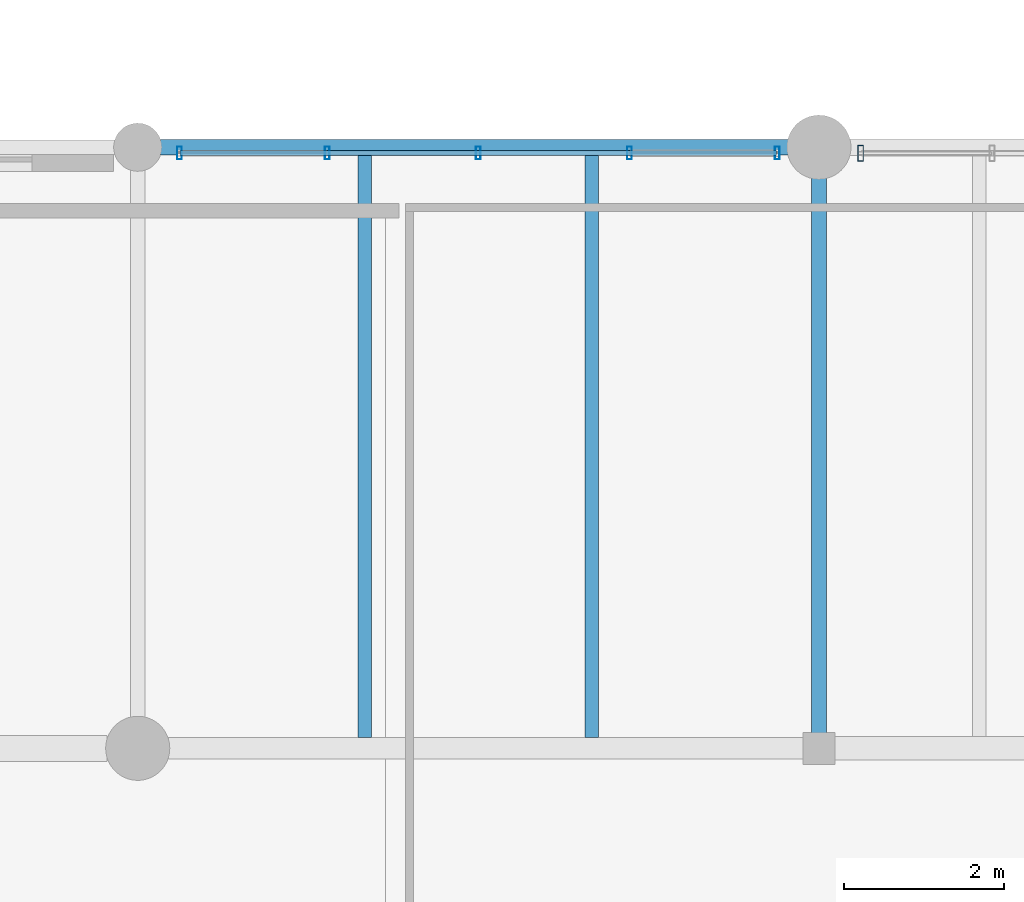
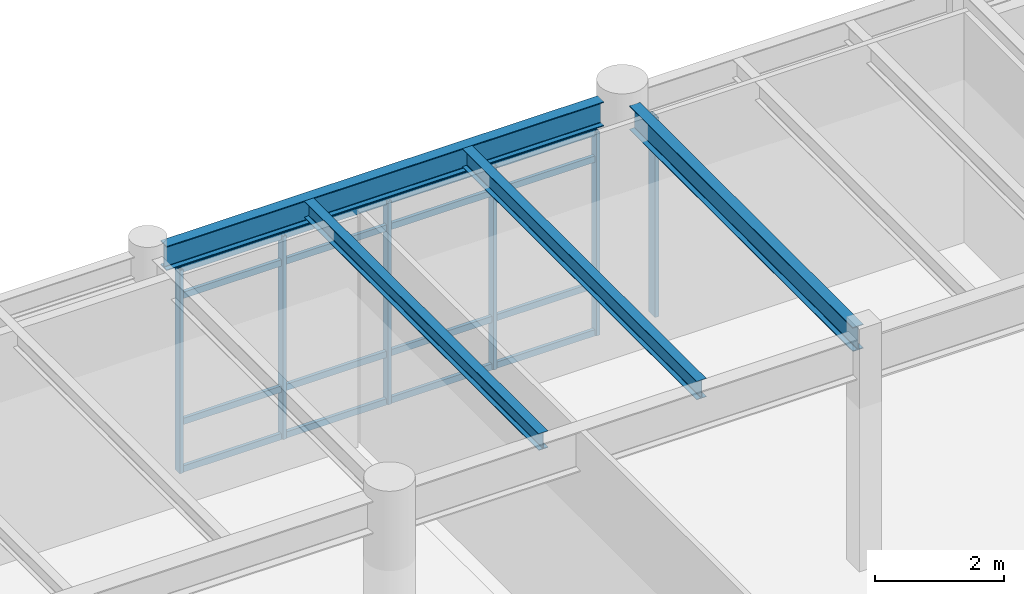
# One storey, part 104 of 168: 10 members, 4 beams, 2 elements without a shape of their own.
"""IFC4 building model written with IfcOpenShell, lengths in metres."""

from ifc_helpers import new_model, si_unit, direction, frame, origin, origin_2d, place, context, subcontext, project, spatial, hollow_rectangle, i_section, extrude, material, material_profile, profile_set, type_object, element, aggregate, save


model = new_model("IFC4")

# Units and contexts
model_context = context("Model", 3, precision=1e-05, world=origin(), true_north=direction((0.0, 1.0)))
body_context = subcontext(model_context, "Body", "Model", "MODEL_VIEW")
ifc_project = project(units=[si_unit("LENGTHUNIT", "METRE"), si_unit("AREAUNIT", "SQUARE_METRE"), si_unit("VOLUMEUNIT", "CUBIC_METRE"), si_unit("PLANEANGLEUNIT", "RADIAN"), si_unit("MASSUNIT", "GRAM", prefix="KILO"), si_unit("THERMODYNAMICTEMPERATUREUNIT", "KELVIN"), si_unit("POWERUNIT", "WATT")], contexts=[model_context])

# Site, building, storey
site_placement = place(None, origin())
site = spatial("IfcSite", under=ifc_project, at=site_placement, CompositionType="ELEMENT")
building_placement = place(site_placement, origin())
building = spatial("IfcBuilding", under=site, at=building_placement, Name="Tepalcoro Natatorium and Aquatics Centre", CompositionType="ELEMENT")
storey_placement = place(building_placement, frame((0.0, 0.0, 10.199951171875)))
storey = spatial("IfcBuildingStorey", under=building, at=storey_placement, Name="L02", CompositionType="ELEMENT", Elevation=10.199951171875)

# Beam
ifc_material_1 = material(Name="Steel ASTM A992 Grade 50 (Fy 345 MPa)", Category="steel")
ifc_material_profile_1 = material_profile(ifc_material_1, i_section(OverallWidth=0.19091796875, OverallDepth=0.45703125, WebThickness=0.009033203125, FlangeThickness=0.013916015625, FilletRadius=0.013916015625, at=origin_2d()), Name="W18X50")
ifc_profile_set_1 = profile_set([ifc_material_profile_1], Name="Steel ASTM A992 Grade 50 (Fy 345 MPa)")
beam_type_1 = type_object("IfcBeamType", Name="BM_W18x50", PredefinedType="BEAM", material=ifc_profile_set_1)
beam_1_placement = place(storey_placement, frame((159.0, 51.68505859375, 4.136474609375), z_axis=(0.0, 1.0, 0.0), x_axis=(-1.0, 0.0, 0.0)))
element("IfcBeam", 1, at=beam_1_placement, inside=storey, type_object=beam_type_1, Name="V2 L02 Grid Girder Y", PredefinedType="BEAM", context=body_context, shape_type="SweptSolid", body=[
    extrude(i_section(OverallWidth=0.19091796875, OverallDepth=0.45703125, WebThickness=0.009033203125, FlangeThickness=0.013916015625, FilletRadius=0.013916015625, at=origin_2d()), origin(), (0.0, 0.0, 1.0), 6.929931640625),
])

# Curtain wall, members
ifc_material_2 = material(Name="Bronze-Anodised Extruded Aluminium Alloy EN AW-6063 T6", Category="aluminium")
curtain_wall_type_1 = type_object("IfcCurtainWallType", Name="CW_LEAN_T1_EW", PredefinedType="USERDEFINED", material=ifc_material_2)
curtain_wall_1_placement = place(storey_placement, origin())
curtain_wall_1 = element("IfcCurtainWall", 2, at=curtain_wall_1_placement, inside=storey, type_object=curtain_wall_type_1, Name="V2 L02 N Unitised Curtain Wall Bay 2", ObjectType="FACETED SOLAR GLAZING", PredefinedType="USERDEFINED")
ifc_material_profile_2 = material_profile(ifc_material_2, hollow_rectangle(XDim=0.06005859375, YDim=0.159912109375, WallThickness=0.00390625, at=origin_2d()), Name="AL60X160X4")
ifc_profile_set_2 = profile_set([ifc_material_profile_2], Name="Bronze-Anodised Extruded Aluminium Alloy EN AW-6063 T6")
member_type_1 = type_object("IfcMemberType", Name="CW_MUL_60x160", PredefinedType="MULLION", material=ifc_profile_set_2)
member_1_placement = place(storey_placement, frame((151.02001953125, 58.9287109375, 0.02001953125), z_axis=(0.0, 0.0, 1.0), x_axis=(1.0, 0.0, 0.0)))
member_1 = element("IfcMember", 3, at=member_1_placement, type_object=member_type_1, Name="CW_LEAN_T1_EW Curtain Wall Mullion", PredefinedType="MULLION", context=body_context, shape_type="SweptSolid", body=[
    extrude(hollow_rectangle(XDim=0.06005859375, YDim=0.159912109375, WallThickness=0.00390625, at=origin_2d()), origin(), (0.0, 0.0, 1.0), 3.85009765625),
])
member_2_placement = place(storey_placement, frame((152.864990234375, 58.9287109375, 0.02001953125), z_axis=(0.0, 0.0, 1.0), x_axis=(1.0, 0.0, 0.0)))
member_2 = element("IfcMember", 4, at=member_2_placement, type_object=member_type_1, Name="CW_LEAN_T1_EW Curtain Wall Mullion", PredefinedType="MULLION", context=body_context, shape_type="SweptSolid", body=[
    extrude(hollow_rectangle(XDim=0.06005859375, YDim=0.159912109375, WallThickness=0.00390625, at=origin_2d()), origin(), (0.0, 0.0, 1.0), 3.85009765625),
])
member_3_placement = place(storey_placement, frame((154.75, 58.9287109375, 0.02001953125), z_axis=(0.0, 0.0, 1.0), x_axis=(1.0, 0.0, 0.0)))
member_3 = element("IfcMember", 5, at=member_3_placement, type_object=member_type_1, Name="CW_LEAN_T1_EW Curtain Wall Mullion", PredefinedType="MULLION", context=body_context, shape_type="SweptSolid", body=[
    extrude(hollow_rectangle(XDim=0.06005859375, YDim=0.159912109375, WallThickness=0.00390625, at=origin_2d()), origin(), (0.0, 0.0, 1.0), 3.85009765625),
])
member_4_placement = place(storey_placement, frame((156.635009765625, 58.9287109375, 0.02001953125), z_axis=(0.0, 0.0, 1.0), x_axis=(1.0, 0.0, 0.0)))
member_4 = element("IfcMember", 6, at=member_4_placement, type_object=member_type_1, Name="CW_LEAN_T1_EW Curtain Wall Mullion", PredefinedType="MULLION", context=body_context, shape_type="SweptSolid", body=[
    extrude(hollow_rectangle(XDim=0.06005859375, YDim=0.159912109375, WallThickness=0.00390625, at=origin_2d()), origin(), (0.0, 0.0, 1.0), 3.85009765625),
])
member_5_placement = place(storey_placement, frame((158.47998046875, 58.9287109375, 0.02001953125), z_axis=(0.0, 0.0, 1.0), x_axis=(1.0, 0.0, 0.0)))
member_5 = element("IfcMember", 7, at=member_5_placement, type_object=member_type_1, Name="CW_LEAN_T1_EW Curtain Wall Mullion", PredefinedType="MULLION", context=body_context, shape_type="SweptSolid", body=[
    extrude(hollow_rectangle(XDim=0.06005859375, YDim=0.159912109375, WallThickness=0.00390625, at=origin_2d()), origin(), (0.0, 0.0, 1.0), 3.85009765625),
])

# Curtain wall, member
curtain_wall_type_2 = type_object("IfcCurtainWallType", Name="CW_LEAN_T2_NS", PredefinedType="USERDEFINED", material=ifc_material_2)
curtain_wall_2_placement = place(storey_placement, origin())
curtain_wall_2 = element("IfcCurtainWall", 8, at=curtain_wall_2_placement, inside=storey, type_object=curtain_wall_type_2, Name="V2 L02 N Unitised Curtain Wall Bay 3", ObjectType="FACETED SOLAR GLAZING", PredefinedType="USERDEFINED")
ifc_material_profile_3 = material_profile(ifc_material_2, hollow_rectangle(XDim=0.070068359375, YDim=0.199951171875, WallThickness=0.0048828125, at=origin_2d()), Name="AL70X200X5")
ifc_profile_set_3 = profile_set([ifc_material_profile_3], Name="Bronze-Anodised Extruded Aluminium Alloy EN AW-6063 T6")
member_type_2 = type_object("IfcMemberType", Name="CW_MUL_70x200", PredefinedType="MULLION", material=ifc_profile_set_3)
member_6_placement = place(storey_placement, frame((159.52001953125, 58.923828125, 0.02001953125), z_axis=(0.0, 0.0, 1.0), x_axis=(1.0, 0.0, 0.0)))
member_6 = element("IfcMember", 9, at=member_6_placement, type_object=member_type_2, Name="CW_LEAN_T2_NS Curtain Wall Mullion", PredefinedType="MULLION", context=body_context, shape_type="SweptSolid", body=[
    extrude(hollow_rectangle(XDim=0.070068359375, YDim=0.199951171875, WallThickness=0.0048828125, at=origin_2d()), origin(), (0.0, 0.0, 1.0), 3.77392578125),
])
aggregate(curtain_wall_2, [member_6])

# Member
ifc_material_profile_4 = material_profile(ifc_material_2, hollow_rectangle(XDim=0.06005859375, YDim=0.1201171875, WallThickness=0.00390625, at=origin_2d()), Name="AL60X120X4")
ifc_profile_set_4 = profile_set([ifc_material_profile_4], Name="Bronze-Anodised Extruded Aluminium Alloy EN AW-6063 T6")
member_type_3 = type_object("IfcMemberType", Name="CW_TRN_60x120", PredefinedType="USERDEFINED", material=ifc_profile_set_4)
member_7_placement = place(storey_placement, frame((151.030029296875, 58.9287109375, 0.050048828125), z_axis=(1.0, 0.0, 0.0), x_axis=(0.0, 1.0, 0.0)))
member_7 = element("IfcMember", 10, at=member_7_placement, type_object=member_type_3, Name="CW_LEAN_T1_EW Curtain Wall Transom", ObjectType="TRANSOM", PredefinedType="USERDEFINED", context=body_context, shape_type="SweptSolid", body=[
    extrude(hollow_rectangle(XDim=0.06005859375, YDim=0.1201171875, WallThickness=0.00390625, at=origin_2d()), origin(), (0.0, 0.0, 1.0), 7.43994140625),
])

member_8_placement = place(storey_placement, frame((151.030029296875, 58.9287109375, 0.949951171875), z_axis=(1.0, 0.0, 0.0), x_axis=(0.0, 1.0, 0.0)))
member_8 = element("IfcMember", 11, at=member_8_placement, type_object=member_type_3, Name="CW_LEAN_T1_EW Curtain Wall Transom", ObjectType="TRANSOM", PredefinedType="USERDEFINED", context=body_context, shape_type="SweptSolid", body=[
    extrude(hollow_rectangle(XDim=0.06005859375, YDim=0.1201171875, WallThickness=0.00390625, at=origin_2d()), origin(), (0.0, 0.0, 1.0), 7.43994140625),
])

member_9_placement = place(storey_placement, frame((151.030029296875, 58.9287109375, 3.340087890625), z_axis=(1.0, 0.0, 0.0), x_axis=(0.0, 1.0, 0.0)))
member_9 = element("IfcMember", 12, at=member_9_placement, type_object=member_type_3, Name="CW_LEAN_T1_EW Curtain Wall Transom", ObjectType="TRANSOM", PredefinedType="USERDEFINED", context=body_context, shape_type="SweptSolid", body=[
    extrude(hollow_rectangle(XDim=0.06005859375, YDim=0.1201171875, WallThickness=0.00390625, at=origin_2d()), origin(), (0.0, 0.0, 1.0), 7.43994140625),
])

member_10_placement = place(storey_placement, frame((151.030029296875, 58.9287109375, 3.840087890625), z_axis=(1.0, 0.0, 0.0), x_axis=(0.0, 1.0, 0.0)))
member_10 = element("IfcMember", 13, at=member_10_placement, type_object=member_type_3, Name="CW_LEAN_T1_EW Curtain Wall Transom", ObjectType="TRANSOM", PredefinedType="USERDEFINED", context=body_context, shape_type="SweptSolid", body=[
    extrude(hollow_rectangle(XDim=0.06005859375, YDim=0.1201171875, WallThickness=0.00390625, at=origin_2d()), origin(), (0.0, 0.0, 1.0), 7.43994140625),
])

aggregate(curtain_wall_1, [member_1, member_2, member_3, member_4, member_5, member_7, member_8, member_9, member_10])

# Beams
ifc_material_profile_5 = material_profile(ifc_material_1, i_section(OverallWidth=0.1669921875, OverallDepth=0.318115234375, WebThickness=0.008056640625, FlangeThickness=0.012939453125, FilletRadius=0.013916015625, at=origin_2d()), Name="W12X35")
ifc_profile_set_5 = profile_set([ifc_material_profile_5], Name="Steel ASTM A992 Grade 50 (Fy 345 MPa)")
beam_type_2 = type_object("IfcBeamType", Name="JS_W12x35", PredefinedType="JOIST", material=ifc_profile_set_5)
beam_2_placement = place(storey_placement, frame((153.333251953125, 51.633544921875, 4.2060546875), z_axis=(0.0, 1.0, 0.0), x_axis=(-1.0, 0.0, 0.0)))
element("IfcBeam", 14, at=beam_2_placement, inside=storey, type_object=beam_type_2, Name="V2 L02 Floor Joist", PredefinedType="JOIST", context=body_context, shape_type="SweptSolid", body=[
    extrude(i_section(OverallWidth=0.1669921875, OverallDepth=0.318115234375, WebThickness=0.008056640625, FlangeThickness=0.012939453125, FilletRadius=0.013916015625, at=origin_2d()), origin(), (0.0, 0.0, 1.0), 7.27099609375),
])
ifc_material_profile_6 = material_profile(ifc_material_1, i_section(OverallWidth=0.1708984375, OverallDepth=0.35107421875, WebThickness=0.007080078125, FlangeThickness=0.010009765625, FilletRadius=0.013916015625, at=origin_2d()), Name="W14X30")
ifc_profile_set_6 = profile_set([ifc_material_profile_6], Name="Steel ASTM A992 Grade 50 (Fy 345 MPa)")
beam_type_3 = type_object("IfcBeamType", Name="JS_W14x30", PredefinedType="JOIST", material=ifc_profile_set_6)
beam_3_placement = place(storey_placement, frame((156.166748046875, 51.633544921875, 4.189453125), z_axis=(0.0, 1.0, 0.0), x_axis=(-1.0, 0.0, 0.0)))
element("IfcBeam", 15, at=beam_3_placement, inside=storey, type_object=beam_type_3, Name="V2 L02 Floor Joist", PredefinedType="JOIST", context=body_context, shape_type="SweptSolid", body=[
    extrude(i_section(OverallWidth=0.1708984375, OverallDepth=0.35107421875, WebThickness=0.007080078125, FlangeThickness=0.010009765625, FilletRadius=0.013916015625, at=origin_2d()), origin(), (0.0, 0.0, 1.0), 7.27099609375),
])
ifc_material_profile_7 = material_profile(ifc_material_1, i_section(OverallWidth=0.19091796875, OverallDepth=0.4599609375, WebThickness=0.010009765625, FlangeThickness=0.01611328125, FilletRadius=0.013916015625, at=origin_2d()), Name="W18X55")
ifc_profile_set_7 = profile_set([ifc_material_profile_7], Name="Steel ASTM A992 Grade 50 (Fy 345 MPa)")
beam_type_4 = type_object("IfcBeamType", Name="SP_W18x55", PredefinedType="SPANDREL", material=ifc_profile_set_7)
beam_4_placement = place(storey_placement, frame((150.784912109375, 59.0, 4.135009765625), z_axis=(1.0, 0.0, 0.0), x_axis=(0.0, 1.0, 0.0)))
element("IfcBeam", 16, at=beam_4_placement, inside=storey, type_object=beam_type_4, Name="V2 L02 Grid Girder X", PredefinedType="SPANDREL", context=body_context, shape_type="SweptSolid", body=[
    extrude(i_section(OverallWidth=0.19091796875, OverallDepth=0.4599609375, WebThickness=0.010009765625, FlangeThickness=0.01611328125, FilletRadius=0.013916015625, at=origin_2d()), origin(), (0.0, 0.0, 1.0), 7.830078125),
])

save(model, "model.ifc")
